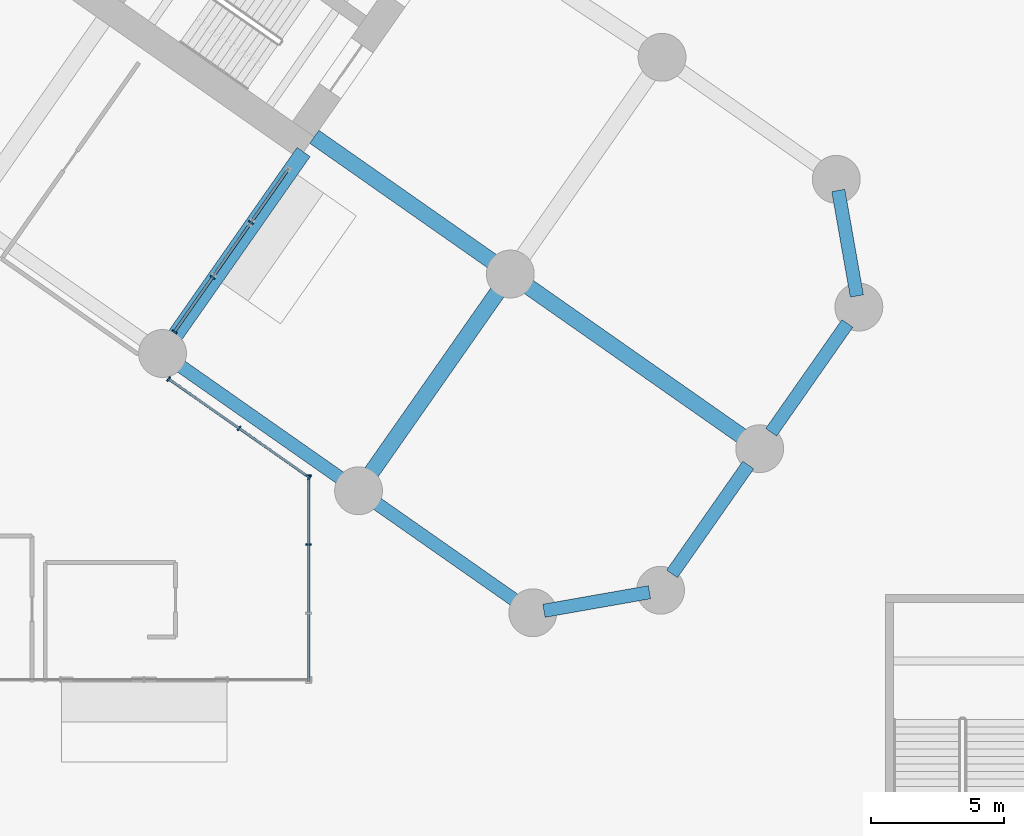
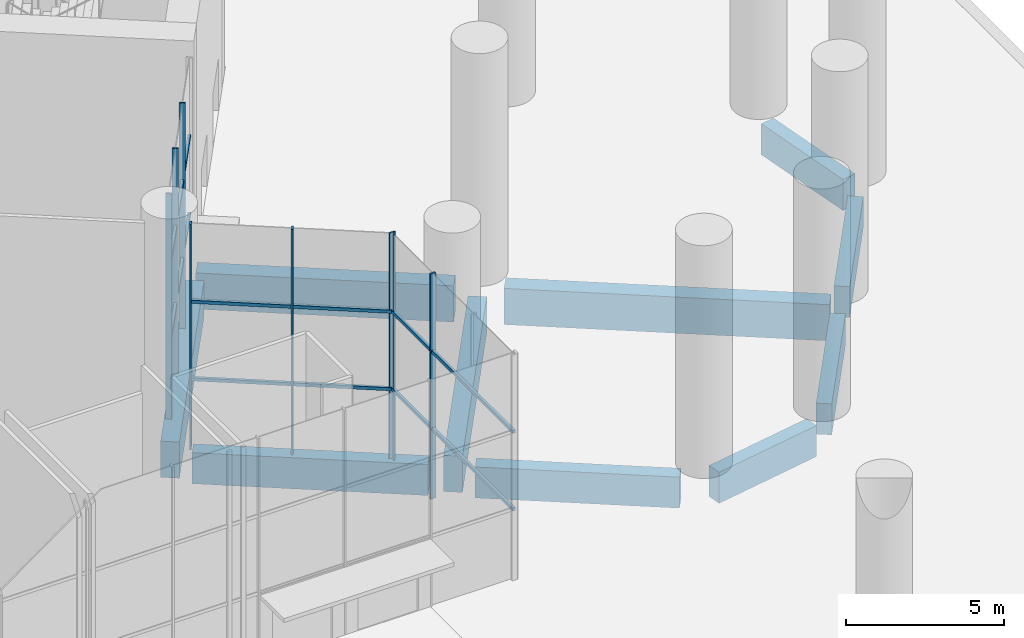
# One storey, part 10 of 37: 14 members, 10 beams, 3 elements without a shape of their own.
"""IFC4 building model written with IfcOpenShell, lengths in metres."""

from ifc_helpers import new_model, si_unit, direction, frame, origin, origin_2d, place, context, subcontext, project, spatial, rectangle, extrude, material, material_profile, profile_set, type_object, element, aggregate, save


model = new_model("IFC4")

# Units and contexts
model_context = context("Model", 3, precision=1e-05, world=origin(), true_north=direction((0.0, 1.0)))
body_context = subcontext(model_context, "Body", "Model", "MODEL_VIEW")
ifc_project = project(units=[si_unit("LENGTHUNIT", "METRE"), si_unit("AREAUNIT", "SQUARE_METRE"), si_unit("VOLUMEUNIT", "CUBIC_METRE"), si_unit("PLANEANGLEUNIT", "RADIAN"), si_unit("MASSUNIT", "GRAM", prefix="KILO")], contexts=[model_context])

# Site, building, storey
site_placement = place(None, origin())
site = spatial("IfcSite", under=ifc_project, at=site_placement, CompositionType="ELEMENT")
building_placement = place(site_placement, origin())
building = spatial("IfcBuilding", under=site, at=building_placement, Name="Tel Ilan Convention Tower", CompositionType="ELEMENT")
storey_placement = place(building_placement, origin())
storey = spatial("IfcBuildingStorey", under=building, at=storey_placement, Name="L00", CompositionType="ELEMENT", Elevation=0.0)

# Beams
ifc_material_1 = material(Name="Concrete C40/50", Category="concrete")
ifc_material_profile_1 = material_profile(ifc_material_1, rectangle(XDim=0.5, YDim=1.199951171875, at=origin_2d()), Name="RC 500x1200")
ifc_profile_set_1 = profile_set([ifc_material_profile_1], Name="Concrete C40/50")
beam_type_1 = type_object("IfcBeamType", Name="Beam RC 500x1200 Concrete C40/50", PredefinedType="BEAM", material=ifc_profile_set_1)
beam_1_placement = place(storey_placement, frame((17.0244140625, -24.0673828125, -1.050048828125), z_axis=(0.81915238829, -0.573575945067, 0.0), x_axis=(0.573575945067, 0.81915238829, 0.0)))
element("IfcBeam", 1, at=beam_1_placement, inside=storey, type_object=beam_type_1, Name="L00 beam E-E-F3-E-F4", PredefinedType="BEAM", context=body_context, shape_type="SweptSolid", body=[
    extrude(rectangle(XDim=0.5, YDim=1.199951171875, at=origin_2d()), origin(), (0.0, 0.0, 1.0), 7.5),
])
beam_2_placement = place(storey_placement, frame((24.396728515625, -29.2294921875, -1.050048828125), z_axis=(0.819148977158, -0.573580816643, 0.0), x_axis=(0.573580816643, 0.819148977158, 0.0)))
element("IfcBeam", 2, at=beam_2_placement, inside=storey, type_object=beam_type_1, Name="L00 beam E-E-F4-E-FC", PredefinedType="BEAM", context=body_context, shape_type="SweptSolid", body=[
    extrude(rectangle(XDim=0.5, YDim=1.199951171875, at=origin_2d()), origin(), (0.0, 0.0, 1.0), 6.5),
])
beam_3_placement = place(storey_placement, frame((30.75341796875, -33.314208984375, -1.050048828125), z_axis=(0.984815252405, 0.173605641124, 0.0), x_axis=(-0.173605641124, 0.984815252405, 0.0)))
element("IfcBeam", 3, at=beam_3_placement, inside=storey, type_object=beam_type_1, Name="L00 beam E-E-FC-E-E1", PredefinedType="BEAM", context=body_context, shape_type="SweptSolid", body=[
    extrude(rectangle(XDim=0.5, YDim=1.199951171875, at=origin_2d()), origin(), (0.0, 0.0, 1.0), 4.030517578125),
])
for number, where, z_axis, x_axis, name in (
    (4, (35.57080078125, -31.92626953125, -1.050048828125), (0.573586866468, 0.819144740944, 0.0), (-0.819144740944, 0.573586866468, 0.0), "L00 beam E-E-E1-E-E2"),
    (5, (39.298828125, -26.601806640625, -1.050048828125), (0.573586866468, 0.819144740944, 0.0), (-0.819144740944, 0.573586866468, 0.0), "L00 beam E-E-E2-E-E3"),
):
    element("IfcBeam", number, at=place(storey_placement, frame(where, z_axis=z_axis, x_axis=x_axis)), inside=storey, type_object=beam_type_1, Name=name, PredefinedType="BEAM", context=body_context, shape_type="SweptSolid", body=[
        extrude(rectangle(XDim=0.5, YDim=1.199951171875, at=origin_2d()), origin(), (0.0, 0.0, 1.0), 5.0),
    ])
beam_4_placement = place(storey_placement, frame((42.523193359375, -21.473876953125, -1.050048828125), z_axis=(-0.173605641124, 0.984815252405, 0.0), x_axis=(-0.984815252405, -0.173605641124, 0.0)))
element("IfcBeam", 6, at=beam_4_placement, inside=storey, type_object=beam_type_1, Name="L00 beam E-E-E3-E-BC", PredefinedType="BEAM", context=body_context, shape_type="SweptSolid", body=[
    extrude(rectangle(XDim=0.5, YDim=1.199951171875, at=origin_2d()), origin(), (0.0, 0.0, 1.0), 4.030517578125),
])
ifc_material_2 = material(Name="Concrete C40/50", Category="concrete")
ifc_material_profile_2 = material_profile(ifc_material_2, rectangle(XDim=0.60009765625, YDim=1.39990234375, at=origin_2d()), Name="RC 600x1400")
ifc_profile_set_2 = profile_set([ifc_material_profile_2], Name="Concrete C40/50")
beam_type_2 = type_object("IfcBeamType", Name="Beam RC 600x1400 Concrete C40/50", PredefinedType="BEAM", material=ifc_profile_set_2)
beam_5_placement = place(storey_placement, frame((16.58203125, -23.391357421875, -1.14990234375), z_axis=(0.573584999642, 0.819146048141, 0.0), x_axis=(-0.819146048141, 0.573584999642, 0.0)))
element("IfcBeam", 7, at=beam_5_placement, inside=storey, type_object=beam_type_2, Name="L00 beam E-E-F3-core", PredefinedType="BEAM", context=body_context, shape_type="SweptSolid", body=[
    extrude(rectangle(XDim=0.60009765625, YDim=1.39990234375, at=origin_2d()), origin(), (0.0, 0.0, 1.0), 8.949951171875),
])
beam_6_placement = place(storey_placement, frame((22.1171875, -15.486572265625, -1.14990234375), z_axis=(0.819149386388, -0.573580232209, 0.0), x_axis=(0.573580232209, 0.819149386388, 0.0)))
element("IfcBeam", 8, at=beam_6_placement, inside=storey, type_object=beam_type_2, Name="L00 beam E-core-E-M4", PredefinedType="BEAM", context=body_context, shape_type="SweptSolid", body=[
    extrude(rectangle(XDim=0.60009765625, YDim=1.39990234375, at=origin_2d()), origin(), (0.0, 0.0, 1.0), 8.199951171875),
])
beam_7_placement = place(storey_placement, frame((30.144775390625, -21.107666015625, -1.14990234375), z_axis=(0.819153232147, -0.573574739911, 0.0), x_axis=(0.573574739911, 0.819153232147, 0.0)))
element("IfcBeam", 9, at=beam_7_placement, inside=storey, type_object=beam_type_2, Name="L00 beam E-E-M4-end", PredefinedType="BEAM", context=body_context, shape_type="SweptSolid", body=[
    extrude(rectangle(XDim=0.60009765625, YDim=1.39990234375, at=origin_2d()), origin(), (0.0, 0.0, 1.0), 10.35009765625),
])
beam_8_placement = place(storey_placement, frame((29.030517578125, -21.30419921875, -1.14990234375), z_axis=(-0.573558616729, -0.819164521434, 0.0), x_axis=(0.819164521434, -0.573558616729, 0.0)))
element("IfcBeam", 10, at=beam_8_placement, inside=storey, type_object=beam_type_2, Name="L00 beam E-E-M4-E-F4", PredefinedType="BEAM", context=body_context, shape_type="SweptSolid", body=[
    extrude(rectangle(XDim=0.60009765625, YDim=1.39990234375, at=origin_2d()), origin(), (0.0, 0.0, 1.0), 8.849853515625),
])

# Curtain wall, members
ifc_material_3 = material(Name="Aluminium, bronze anodised", Category="aluminium")
curtain_wall_type = type_object("IfcCurtainWallType", Name="CW6 LOBBY PAVILION CURTAIN WALL, CLEAR GLASS", PredefinedType="NOTDEFINED", material=ifc_material_3)
curtain_wall_1_placement = place(storey_placement, origin())
curtain_wall_1 = element("IfcCurtainWall", 11, at=curtain_wall_1_placement, inside=storey, type_object=curtain_wall_type, Name="Curtain wall CW6-03.03", PredefinedType="NOTDEFINED")
ifc_material_4 = material(Name="Aluminium, bronze anodised", Category="aluminium")
ifc_material_profile_3 = material_profile(ifc_material_4, rectangle(XDim=0.06005859375, YDim=0.199951171875, at=origin_2d()), Name="CW MULLION 60x200")
ifc_profile_set_3 = profile_set([ifc_material_profile_3], Name="Aluminium, bronze anodised")
member_type_1 = type_object("IfcMemberType", Name="CW MULLION 60x200", PredefinedType="MULLION", material=ifc_profile_set_3)
member_1_placement = place(storey_placement, frame((16.640380859375, -24.592041015625, 0.0), z_axis=(0.0, 0.0, 1.0), x_axis=(0.819152044289, -0.573576436351, 0.0)))
member_1 = element("IfcMember", 12, at=member_1_placement, type_object=member_type_1, Name="Mullion", PredefinedType="MULLION", context=body_context, shape_type="SweptSolid", body=[
    extrude(rectangle(XDim=0.06005859375, YDim=0.199951171875, at=origin_2d()), origin(), (0.0, 0.0, 1.0), 8.719970703125),
])
member_2_placement = place(storey_placement, frame((19.29150390625, -26.4482421875, 0.0), z_axis=(0.0, 0.0, 1.0), x_axis=(0.819152044289, -0.573576436351, 0.0)))
member_2 = element("IfcMember", 13, at=member_2_placement, type_object=member_type_1, Name="Mullion", PredefinedType="MULLION", context=body_context, shape_type="SweptSolid", body=[
    extrude(rectangle(XDim=0.06005859375, YDim=0.199951171875, at=origin_2d()), origin(), (0.0, 0.0, 1.0), 8.719970703125),
])
member_3_placement = place(storey_placement, frame((21.942626953125, -28.3046875, 0.0), z_axis=(0.0, 0.0, 1.0), x_axis=(0.819152044289, -0.573576436351, 0.0)))
member_3 = element("IfcMember", 14, at=member_3_placement, type_object=member_type_1, Name="Mullion", PredefinedType="MULLION", context=body_context, shape_type="SweptSolid", body=[
    extrude(rectangle(XDim=0.06005859375, YDim=0.199951171875, at=origin_2d()), origin(), (0.0, 0.0, 1.0), 8.719970703125),
])

curtain_wall_2_placement = place(storey_placement, origin())
curtain_wall_2 = element("IfcCurtainWall", 15, at=curtain_wall_2_placement, inside=storey, type_object=curtain_wall_type, Name="Curtain wall CW6-03.04", PredefinedType="NOTDEFINED")
member_4_placement = place(storey_placement, frame((21.89990234375, -28.22265625, 0.0), z_axis=(0.0, 0.0, 1.0), x_axis=(0.0, -1.0, 0.0)))
member_4 = element("IfcMember", 16, at=member_4_placement, type_object=member_type_1, Name="Mullion", PredefinedType="MULLION", context=body_context, shape_type="SweptSolid", body=[
    extrude(rectangle(XDim=0.06005859375, YDim=0.199951171875, at=origin_2d()), origin(), (0.0, 0.0, 1.0), 8.719970703125),
])
member_5_placement = place(storey_placement, frame((21.89990234375, -30.815185546875, 0.0), z_axis=(0.0, 0.0, 1.0), x_axis=(0.0, -1.0, 0.0)))
member_5 = element("IfcMember", 17, at=member_5_placement, type_object=member_type_1, Name="Mullion", PredefinedType="MULLION", context=body_context, shape_type="SweptSolid", body=[
    extrude(rectangle(XDim=0.06005859375, YDim=0.199951171875, at=origin_2d()), origin(), (0.0, 0.0, 1.0), 8.719970703125),
])

curtain_wall_3_placement = place(storey_placement, origin())
curtain_wall_3 = element("IfcCurtainWall", 18, at=curtain_wall_3_placement, inside=storey, type_object=curtain_wall_type, Name="Curtain wall CW6-03.07", PredefinedType="NOTDEFINED")
member_6_placement = place(storey_placement, frame((19.735107421875, -18.714111328125, 0.0), z_axis=(0.0, 0.0, 1.0), x_axis=(-0.573576436351, -0.819152044289, 0.0)))
member_6 = element("IfcMember", 19, at=member_6_placement, type_object=member_type_1, Name="Mullion", PredefinedType="MULLION", context=body_context, shape_type="SweptSolid", body=[
    extrude(rectangle(XDim=0.06005859375, YDim=0.199951171875, at=origin_2d()), origin(), (0.0, 0.0, 1.0), 8.719970703125),
])
member_7_placement = place(storey_placement, frame((18.295166015625, -20.7705078125, 0.0), z_axis=(0.0, 0.0, 1.0), x_axis=(-0.573576436351, -0.819152044289, 0.0)))
member_7 = element("IfcMember", 20, at=member_7_placement, type_object=member_type_1, Name="Mullion", PredefinedType="MULLION", context=body_context, shape_type="SweptSolid", body=[
    extrude(rectangle(XDim=0.06005859375, YDim=0.199951171875, at=origin_2d()), origin(), (0.0, 0.0, 1.0), 8.719970703125),
])
member_8_placement = place(storey_placement, frame((16.85546875, -22.82666015625, 0.0), z_axis=(0.0, 0.0, 1.0), x_axis=(-0.573576436351, -0.819152044289, 0.0)))
member_8 = element("IfcMember", 21, at=member_8_placement, type_object=member_type_1, Name="Mullion", PredefinedType="MULLION", context=body_context, shape_type="SweptSolid", body=[
    extrude(rectangle(XDim=0.06005859375, YDim=0.199951171875, at=origin_2d()), origin(), (0.0, 0.0, 1.0), 8.719970703125),
])

# Member
ifc_material_5 = material(Name="Aluminium, bronze anodised", Category="aluminium")
ifc_material_profile_4 = material_profile(ifc_material_5, rectangle(XDim=0.10009765625, YDim=0.1201171875, at=origin_2d()), Name="CW TRANSOM 100x120")
ifc_profile_set_4 = profile_set([ifc_material_profile_4], Name="Aluminium, bronze anodised")
member_type_2 = type_object("IfcMemberType", Name="CW TRANSOM 100x120", PredefinedType="USERDEFINED", material=ifc_profile_set_4)
member_9_placement = place(storey_placement, frame((16.6650390625, -24.609130859375, 2.699951171875), z_axis=(0.819146058863, -0.57358498433, 0.0), x_axis=(0.57358498433, 0.819146058863, 0.0)))
member_9 = element("IfcMember", 22, at=member_9_placement, type_object=member_type_2, Name="Transom", ObjectType="TRANSOM", PredefinedType="USERDEFINED", context=body_context, shape_type="SweptSolid", body=[
    extrude(rectangle(XDim=0.10009765625, YDim=0.1201171875, at=origin_2d()), origin(), (0.0, 0.0, 1.0), 6.41259765625),
])

member_10_placement = place(storey_placement, frame((16.6650390625, -24.609130859375, 5.699951171875), z_axis=(0.819146058863, -0.57358498433, 0.0), x_axis=(0.57358498433, 0.819146058863, 0.0)))
member_10 = element("IfcMember", 23, at=member_10_placement, type_object=member_type_2, Name="Transom", ObjectType="TRANSOM", PredefinedType="USERDEFINED", context=body_context, shape_type="SweptSolid", body=[
    extrude(rectangle(XDim=0.10009765625, YDim=0.1201171875, at=origin_2d()), origin(), (0.0, 0.0, 1.0), 6.41259765625),
])

aggregate(curtain_wall_1, [member_1, member_2, member_3, member_9, member_10])

member_11_placement = place(storey_placement, frame((21.89990234375, -28.252685546875, 2.699951171875), z_axis=(0.0, -1.0, 0.0), x_axis=(1.0, 0.0, 0.0)))
member_11 = element("IfcMember", 24, at=member_11_placement, type_object=member_type_2, Name="Transom", ObjectType="TRANSOM", PredefinedType="USERDEFINED", context=body_context, shape_type="SweptSolid", body=[
    extrude(rectangle(XDim=0.10009765625, YDim=0.1201171875, at=origin_2d()), origin(), (0.0, 0.0, 1.0), 7.71728515625),
])

member_12_placement = place(storey_placement, frame((21.89990234375, -28.252685546875, 5.699951171875), z_axis=(0.0, -1.0, 0.0), x_axis=(1.0, 0.0, 0.0)))
member_12 = element("IfcMember", 25, at=member_12_placement, type_object=member_type_2, Name="Transom", ObjectType="TRANSOM", PredefinedType="USERDEFINED", context=body_context, shape_type="SweptSolid", body=[
    extrude(rectangle(XDim=0.10009765625, YDim=0.1201171875, at=origin_2d()), origin(), (0.0, 0.0, 1.0), 7.71728515625),
])

aggregate(curtain_wall_2, [member_4, member_5, member_11, member_12])

member_13_placement = place(storey_placement, frame((21.15771484375, -16.6826171875, 2.699951171875), z_axis=(-0.573589546012, -0.819142864649, 0.0), x_axis=(0.819142864649, -0.573589546012, 0.0)))
member_13 = element("IfcMember", 26, at=member_13_placement, type_object=member_type_2, Name="Transom", ObjectType="TRANSOM", PredefinedType="USERDEFINED", context=body_context, shape_type="SweptSolid", body=[
    extrude(rectangle(XDim=0.10009765625, YDim=0.1201171875, at=origin_2d()), origin(), (0.0, 0.0, 1.0), 7.470703125),
])

member_14_placement = place(storey_placement, frame((21.15771484375, -16.6826171875, 5.699951171875), z_axis=(-0.573589546012, -0.819142864649, 0.0), x_axis=(0.819142864649, -0.573589546012, 0.0)))
member_14 = element("IfcMember", 27, at=member_14_placement, type_object=member_type_2, Name="Transom", ObjectType="TRANSOM", PredefinedType="USERDEFINED", context=body_context, shape_type="SweptSolid", body=[
    extrude(rectangle(XDim=0.10009765625, YDim=0.1201171875, at=origin_2d()), origin(), (0.0, 0.0, 1.0), 7.470703125),
])

aggregate(curtain_wall_3, [member_6, member_7, member_8, member_13, member_14])

save(model, "model.ifc")
